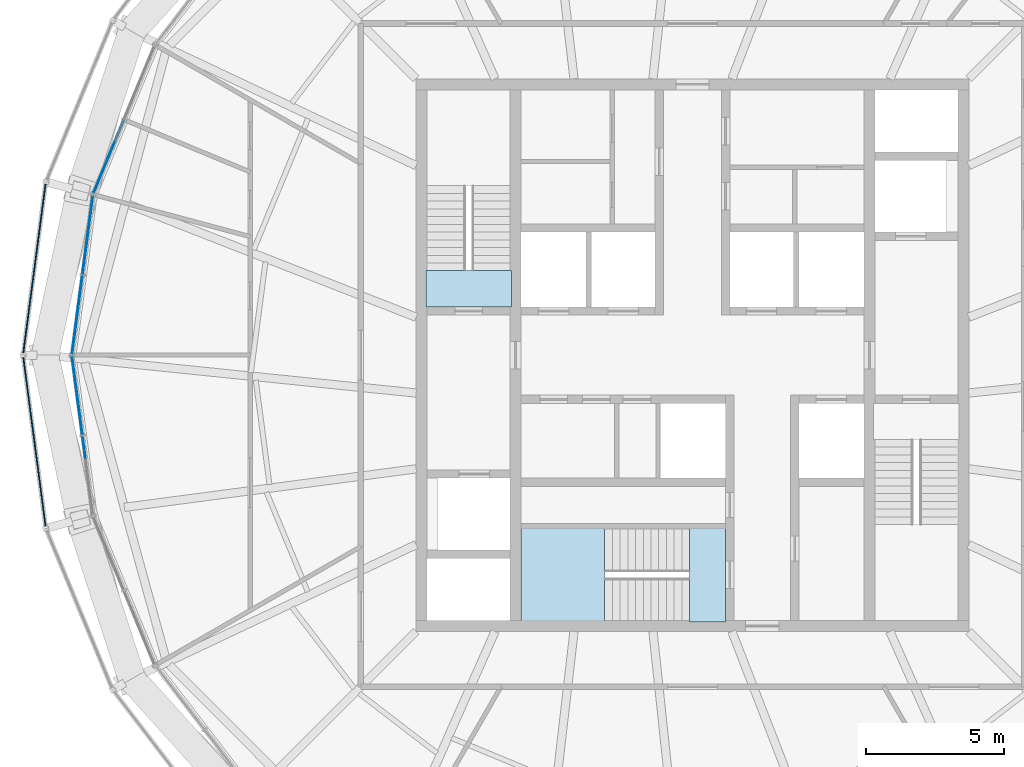
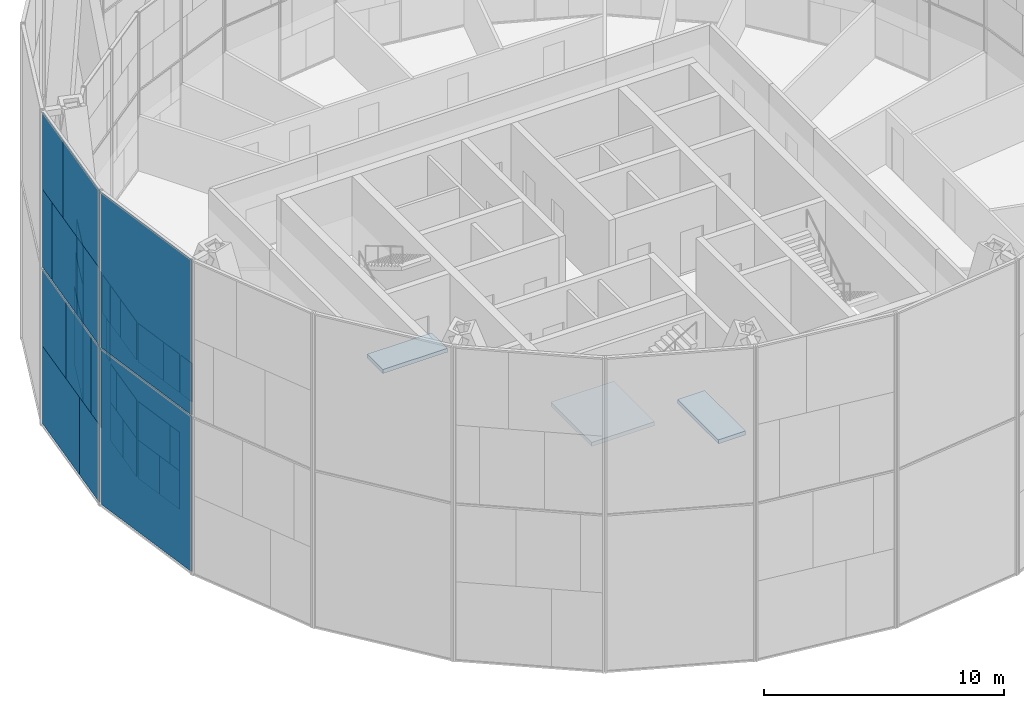
# One storey, part 11 of 22: 38 plates, 3 slabs, 6 elements without a shape of their own.
"""IFC4 building model written with IfcOpenShell, lengths in metres."""

from ifc_helpers import new_model, si_unit, direction, frame, origin, origin_2d, place, context, subcontext, project, spatial, polyline, rectangle, outline, extrude, material, layer, layer_set, type_object, element, aggregate, save


model = new_model("IFC4")

# Units and contexts
model_context = context("Model", 3, precision=1e-05, world=origin(), true_north=direction((0.0, 1.0)))
body_context = subcontext(model_context, "Body", "Model", "MODEL_VIEW")
ifc_project = project(units=[si_unit("LENGTHUNIT", "METRE"), si_unit("AREAUNIT", "SQUARE_METRE"), si_unit("VOLUMEUNIT", "CUBIC_METRE"), si_unit("PLANEANGLEUNIT", "RADIAN"), si_unit("MASSUNIT", "GRAM", prefix="KILO")], contexts=[model_context])

# Site, building, storey
site_placement = place(None, origin())
site = spatial("IfcSite", under=ifc_project, at=site_placement, CompositionType="ELEMENT")
building_placement = place(site_placement, origin())
building = spatial("IfcBuilding", under=site, at=building_placement, Name="Golbaran Civic Tower", CompositionType="ELEMENT")
storey_placement = place(building_placement, frame((0.0, 0.0, 248.0)))
storey = spatial("IfcBuildingStorey", under=building, at=storey_placement, Name="L60", CompositionType="ELEMENT", Elevation=248.0)

# Curtain wall, plates
ifc_material_1 = material(Name="Aluminium and glass", Category="aluminium")
curtain_wall_type_1 = type_object("IfcCurtainWallType", Name="INNER SKIN CURTAIN WALL EXECUTIVE", PredefinedType="NOTDEFINED", material=ifc_material_1)
curtain_wall_1_placement = place(storey_placement, origin())
curtain_wall_1 = element("IfcCurtainWall", 1, at=curtain_wall_1_placement, inside=storey, type_object=curtain_wall_type_1, Name="Inner skin L60 facet 11 CW2", ObjectType="INNER SKIN", PredefinedType="USERDEFINED")
ifc_material_2 = material(Name="Clear insulating glass", Category="glass")
ifc_layer_1 = layer(ifc_material_2, 0.031982421875, Name="Clear insulating glass")
ifc_layer_set_1 = layer_set([ifc_layer_1], Name="Clear insulating glass")
plate_type_1 = type_object("IfcPlateType", Name="INNER SKIN CURTAIN WALL EXECUTIVE GLAZED PANEL", PredefinedType="CURTAIN_PANEL", material=ifc_layer_set_1)
plate_1_placement = place(storey_placement, frame((-21.12060546875, 7.1787109375, 0.06005859375), z_axis=(0.0, 0.0, 1.0), x_axis=(-0.382683432381, -0.923879532505, 0.0)))
plate_1 = element("IfcPlate", 2, at=plate_1_placement, type_object=plate_type_1, Name="CW2 panel 2.1", PredefinedType="CURTAIN_PANEL", context=body_context, shape_type="SweptSolid", body=[
    extrude(rectangle(XDim=2.840576171875, YDim=0.031982421875, at=origin_2d()), origin(), (0.0, 0.0, 1.0), 3.909912109375),
])
plate_2_placement = place(storey_placement, frame((-21.197021484375, 6.993896484375, 4.030029296875), z_axis=(0.0, 0.0, 1.0), x_axis=(-0.382683432381, -0.923879532505, 0.0)))
plate_2 = element("IfcPlate", 3, at=plate_2_placement, type_object=plate_type_1, Name="CW2 panel 2.2 part 2", PredefinedType="CURTAIN_PANEL", context=body_context, shape_type="SweptSolid", body=[
    extrude(rectangle(XDim=2.440673828125, YDim=0.031982421875, at=origin_2d()), origin(), (0.0, 0.0, 1.0), 1.955078125),
])
plate_3_placement = place(storey_placement, frame((-21.27294921875, 6.810546875, 5.98486328125), z_axis=(0.0, 0.0, 1.0), x_axis=(-0.382683432381, -0.923879532505, 0.0)))
plate_3 = element("IfcPlate", 4, at=plate_3_placement, type_object=plate_type_1, Name="CW2 panel 2.2 part 4", PredefinedType="CURTAIN_PANEL", context=body_context, shape_type="SweptSolid", body=[
    extrude(rectangle(XDim=2.04345703125, YDim=0.031982421875, at=origin_2d()), origin(), (0.0, 0.0, 1.0), 1.955078125),
])
aggregate(curtain_wall_1, [plate_1, plate_2, plate_3])

curtain_wall_2_placement = place(storey_placement, origin())
curtain_wall_2 = element("IfcCurtainWall", 5, at=curtain_wall_2_placement, inside=storey, type_object=curtain_wall_type_1, Name="Inner skin L60 facet 12 CW2", ObjectType="INNER SKIN", PredefinedType="USERDEFINED")
plate_4_placement = place(storey_placement, frame((-21.880126953125, 4.34326171875, 0.06005859375), z_axis=(0.0, 0.0, 1.0), x_axis=(-0.130526192185, -0.991444861378, 0.0)))
plate_4 = element("IfcPlate", 6, at=plate_4_placement, type_object=plate_type_1, Name="CW2 panel 1.1", PredefinedType="CURTAIN_PANEL", context=body_context, shape_type="SweptSolid", body=[
    extrude(rectangle(XDim=2.840576171875, YDim=0.031982421875, at=origin_2d()), origin(), (0.0, 0.0, 1.0), 3.909912109375),
])
plate_5_placement = place(storey_placement, frame((-21.85400390625, 4.54248046875, 4.030029296875), z_axis=(0.0, 0.0, 1.0), x_axis=(-0.130526192185, -0.991444861378, 0.0)))
plate_5 = element("IfcPlate", 7, at=plate_5_placement, type_object=plate_type_1, Name="CW2 panel 1.2 part 1", PredefinedType="CURTAIN_PANEL", context=body_context, shape_type="SweptSolid", body=[
    extrude(rectangle(XDim=2.43896484375, YDim=0.031982421875, at=origin_2d()), origin(), (0.0, 0.0, 1.0), 1.955078125),
])
plate_6_placement = place(storey_placement, frame((-21.828125, 4.73876953125, 5.98486328125), z_axis=(0.0, 0.0, 1.0), x_axis=(-0.130526192185, -0.991444861378, 0.0)))
plate_6 = element("IfcPlate", 8, at=plate_6_placement, type_object=plate_type_1, Name="CW2 panel 1.2 part 3", PredefinedType="CURTAIN_PANEL", context=body_context, shape_type="SweptSolid", body=[
    extrude(rectangle(XDim=2.04296875, YDim=0.031982421875, at=origin_2d()), origin(), (0.0, 0.0, 1.0), 1.955078125),
])
plate_7_placement = place(storey_placement, frame((-22.16357421875, 2.190185546875, 0.06005859375), z_axis=(0.0, 0.0, 1.0), x_axis=(-0.130526192185, -0.991444861378, 0.0)))
plate_7 = element("IfcPlate", 9, at=plate_7_placement, type_object=plate_type_1, Name="CW2 panel 2.1 part 1", PredefinedType="CURTAIN_PANEL", context=body_context, shape_type="SweptSolid", body=[
    extrude(rectangle(XDim=1.383056640625, YDim=0.031982421875, at=origin_2d()), origin(), (0.0, 0.0, 1.0), 1.955078125),
])
plate_8_placement = place(storey_placement, frame((-22.115478515625, 2.556396484375, 2.014892578125), z_axis=(0.0, 0.0, 1.0), x_axis=(-0.130526192185, -0.991444861378, 0.0)))
plate_8 = element("IfcPlate", 10, at=plate_8_placement, type_object=plate_type_1, Name="CW2 panel 2.1 part 3", PredefinedType="CURTAIN_PANEL", context=body_context, shape_type="SweptSolid", body=[
    extrude(rectangle(XDim=0.64404296875, YDim=0.031982421875, at=origin_2d()), origin(), (0.0, 0.0, 1.0), 1.955078125),
])
plate_9_placement = place(storey_placement, frame((-22.37939453125, 0.551513671875, 4.030029296875), z_axis=(0.0, 0.0, 1.0), x_axis=(-0.130526192185, -0.991444861378, 0.0)))
plate_9 = element("IfcPlate", 11, at=plate_9_placement, type_object=plate_type_1, Name="CW2 panel 2.2 part 2", PredefinedType="CURTAIN_PANEL", context=body_context, shape_type="SweptSolid", body=[
    extrude(rectangle(XDim=0.99267578125, YDim=0.031982421875, at=origin_2d()), origin(), (0.0, 0.0, 1.0), 1.955078125),
])
plate_10_placement = place(storey_placement, frame((-22.3310546875, 0.91845703125, 5.98486328125), z_axis=(0.0, 0.0, 1.0), x_axis=(-0.130526192185, -0.991444861378, 0.0)))
plate_10 = element("IfcPlate", 12, at=plate_10_placement, type_object=plate_type_1, Name="CW2 panel 2.2 part 4", PredefinedType="CURTAIN_PANEL", context=body_context, shape_type="SweptSolid", body=[
    extrude(rectangle(XDim=1.732666015625, YDim=0.031982421875, at=origin_2d()), origin(), (0.0, 0.0, 1.0), 1.955078125),
])

curtain_wall_3_placement = place(storey_placement, origin())
curtain_wall_3 = element("IfcCurtainWall", 13, at=curtain_wall_3_placement, inside=storey, type_object=curtain_wall_type_1, Name="Inner skin L60 facet 13 CW2", ObjectType="INNER SKIN", PredefinedType="USERDEFINED")
plate_11_placement = place(storey_placement, frame((-22.16357421875, -2.18994140625, 0.06005859375), z_axis=(0.0, 0.0, 1.0), x_axis=(0.130526192185, -0.991444861378, 0.0)))
plate_11 = element("IfcPlate", 14, at=plate_11_placement, type_object=plate_type_1, Name="CW2 panel 1.1 part 2", PredefinedType="CURTAIN_PANEL", context=body_context, shape_type="SweptSolid", body=[
    extrude(rectangle(XDim=1.383544921875, YDim=0.031982421875, at=origin_2d()), origin(), (0.0, 0.0, 1.0), 1.955078125),
])
plate_12_placement = place(storey_placement, frame((-22.115478515625, -2.55615234375, 2.014892578125), z_axis=(0.0, 0.0, 1.0), x_axis=(0.130526192185, -0.991444861378, 0.0)))
plate_12 = element("IfcPlate", 15, at=plate_12_placement, type_object=plate_type_1, Name="CW2 panel 1.1 part 4", PredefinedType="CURTAIN_PANEL", context=body_context, shape_type="SweptSolid", body=[
    extrude(rectangle(XDim=0.64453125, YDim=0.031982421875, at=origin_2d()), origin(), (0.0, 0.0, 1.0), 1.955078125),
])
plate_13_placement = place(storey_placement, frame((-22.37939453125, -0.5517578125, 4.030029296875), z_axis=(0.0, 0.0, 1.0), x_axis=(0.130526192185, -0.991444861378, 0.0)))
plate_13 = element("IfcPlate", 16, at=plate_13_placement, type_object=plate_type_1, Name="CW2 panel 1.2 part 1", PredefinedType="CURTAIN_PANEL", context=body_context, shape_type="SweptSolid", body=[
    extrude(rectangle(XDim=0.992919921875, YDim=0.031982421875, at=origin_2d()), origin(), (0.0, 0.0, 1.0), 1.955078125),
])
plate_14_placement = place(storey_placement, frame((-22.3310546875, -0.91796875, 5.98486328125), z_axis=(0.0, 0.0, 1.0), x_axis=(0.130526192185, -0.991444861378, 0.0)))
plate_14 = element("IfcPlate", 17, at=plate_14_placement, type_object=plate_type_1, Name="CW2 panel 1.2 part 3", PredefinedType="CURTAIN_PANEL", context=body_context, shape_type="SweptSolid", body=[
    extrude(rectangle(XDim=1.73193359375, YDim=0.031982421875, at=origin_2d()), origin(), (0.0, 0.0, 1.0), 1.955078125),
])

# Plate
ifc_material_3 = material(Name="Aluminium faced opaque infill panel", Category="aluminium")
ifc_layer_2 = layer(ifc_material_3, 0.031982421875, Name="Aluminium faced opaque infill panel")
ifc_layer_set_2 = layer_set([ifc_layer_2], Name="Aluminium faced opaque infill panel")
plate_type_2 = type_object("IfcPlateType", Name="INNER SKIN CURTAIN WALL EXECUTIVE OPAQUE INFILL PANEL", PredefinedType="CURTAIN_PANEL", material=ifc_layer_set_2)
plate_15_placement = place(storey_placement, frame((-22.039306640625, 3.13427734375, 4.030029296875), z_axis=(0.0, 0.0, 1.0), x_axis=(-0.130526192185, -0.991444861378, 0.0)))
plate_15 = element("IfcPlate", 18, at=plate_15_placement, type_object=plate_type_2, Name="CW2 infill panel 1.2 part 2", PredefinedType="CURTAIN_PANEL", context=body_context, shape_type="SweptSolid", body=[
    extrude(rectangle(XDim=0.401611328125, YDim=0.031982421875, at=origin_2d()), origin(), (0.0, 0.0, 1.0), 1.955078125),
])

plate_16_placement = place(storey_placement, frame((-22.013427734375, 3.33056640625, 5.98486328125), z_axis=(0.0, 0.0, 1.0), x_axis=(-0.130526192185, -0.991444861378, 0.0)))
plate_16 = element("IfcPlate", 19, at=plate_16_placement, type_object=plate_type_2, Name="CW2 infill panel 1.2 part 4", PredefinedType="CURTAIN_PANEL", context=body_context, shape_type="SweptSolid", body=[
    extrude(rectangle(XDim=0.797607421875, YDim=0.031982421875, at=origin_2d()), origin(), (0.0, 0.0, 1.0), 1.955078125),
])

plate_17_placement = place(storey_placement, frame((-22.34912109375, 0.781982421875, 0.06005859375), z_axis=(0.0, 0.0, 1.0), x_axis=(-0.130526192185, -0.991444861378, 0.0)))
plate_17 = element("IfcPlate", 20, at=plate_17_placement, type_object=plate_type_2, Name="CW2 infill panel 2.1 part 2", PredefinedType="CURTAIN_PANEL", context=body_context, shape_type="SweptSolid", body=[
    extrude(rectangle(XDim=1.45751953125, YDim=0.031982421875, at=origin_2d()), origin(), (0.0, 0.0, 1.0), 1.955078125),
])

plate_18_placement = place(storey_placement, frame((-22.30078125, 1.1484375, 2.014892578125), z_axis=(0.0, 0.0, 1.0), x_axis=(-0.130526192185, -0.991444861378, 0.0)))
plate_18 = element("IfcPlate", 21, at=plate_18_placement, type_object=plate_type_2, Name="CW2 infill panel 2.1 part 4", PredefinedType="CURTAIN_PANEL", context=body_context, shape_type="SweptSolid", body=[
    extrude(rectangle(XDim=2.196533203125, YDim=0.031982421875, at=origin_2d()), origin(), (0.0, 0.0, 1.0), 1.955078125),
])

plate_19_placement = place(storey_placement, frame((-22.194091796875, 1.959716796875, 4.030029296875), z_axis=(0.0, 0.0, 1.0), x_axis=(-0.130526192185, -0.991444861378, 0.0)))
plate_19 = element("IfcPlate", 22, at=plate_19_placement, type_object=plate_type_2, Name="CW2 infill panel 2.2 part 1", PredefinedType="CURTAIN_PANEL", context=body_context, shape_type="SweptSolid", body=[
    extrude(rectangle(XDim=1.847900390625, YDim=0.031982421875, at=origin_2d()), origin(), (0.0, 0.0, 1.0), 1.955078125),
])

plate_20_placement = place(storey_placement, frame((-22.145751953125, 2.326416015625, 5.98486328125), z_axis=(0.0, 0.0, 1.0), x_axis=(-0.130526192185, -0.991444861378, 0.0)))
plate_20 = element("IfcPlate", 23, at=plate_20_placement, type_object=plate_type_2, Name="CW2 infill panel 2.2 part 3", PredefinedType="CURTAIN_PANEL", context=body_context, shape_type="SweptSolid", body=[
    extrude(rectangle(XDim=1.10791015625, YDim=0.031982421875, at=origin_2d()), origin(), (0.0, 0.0, 1.0), 1.955078125),
])

aggregate(curtain_wall_2, [plate_4, plate_5, plate_15, plate_6, plate_16, plate_7, plate_17, plate_8, plate_18, plate_19, plate_9, plate_20, plate_10])

plate_21_placement = place(storey_placement, frame((-22.34912109375, -0.78173828125, 0.06005859375), z_axis=(0.0, 0.0, 1.0), x_axis=(0.130526192185, -0.991444861378, 0.0)))
plate_21 = element("IfcPlate", 24, at=plate_21_placement, type_object=plate_type_2, Name="CW2 infill panel 1.1 part 1", PredefinedType="CURTAIN_PANEL", context=body_context, shape_type="SweptSolid", body=[
    extrude(rectangle(XDim=1.45703125, YDim=0.031982421875, at=origin_2d()), origin(), (0.0, 0.0, 1.0), 1.955078125),
])

plate_22_placement = place(storey_placement, frame((-22.30078125, -1.148193359375, 2.014892578125), z_axis=(0.0, 0.0, 1.0), x_axis=(0.130526192185, -0.991444861378, 0.0)))
plate_22 = element("IfcPlate", 25, at=plate_22_placement, type_object=plate_type_2, Name="CW2 infill panel 1.1 part 3", PredefinedType="CURTAIN_PANEL", context=body_context, shape_type="SweptSolid", body=[
    extrude(rectangle(XDim=2.196044921875, YDim=0.031982421875, at=origin_2d()), origin(), (0.0, 0.0, 1.0), 1.955078125),
])

plate_23_placement = place(storey_placement, frame((-22.194091796875, -1.9599609375, 4.030029296875), z_axis=(0.0, 0.0, 1.0), x_axis=(0.130526192185, -0.991444861378, 0.0)))
plate_23 = element("IfcPlate", 26, at=plate_23_placement, type_object=plate_type_2, Name="CW2 infill panel 1.2 part 2", PredefinedType="CURTAIN_PANEL", context=body_context, shape_type="SweptSolid", body=[
    extrude(rectangle(XDim=1.84765625, YDim=0.031982421875, at=origin_2d()), origin(), (0.0, 0.0, 1.0), 1.955078125),
])

plate_24_placement = place(storey_placement, frame((-22.145751953125, -2.326171875, 5.98486328125), z_axis=(0.0, 0.0, 1.0), x_axis=(0.130526192185, -0.991444861378, 0.0)))
plate_24 = element("IfcPlate", 27, at=plate_24_placement, type_object=plate_type_2, Name="CW2 infill panel 1.2 part 4", PredefinedType="CURTAIN_PANEL", context=body_context, shape_type="SweptSolid", body=[
    extrude(rectangle(XDim=1.108642578125, YDim=0.031982421875, at=origin_2d()), origin(), (0.0, 0.0, 1.0), 1.955078125),
])

plate_25_placement = place(storey_placement, frame((-22.03955078125, -3.133544921875, 4.030029296875), z_axis=(0.0, 0.0, 1.0), x_axis=(0.130526192185, -0.991444861378, 0.0)))
plate_25 = element("IfcPlate", 28, at=plate_25_placement, type_object=plate_type_2, Name="CW2 infill panel 2.2 part 1", PredefinedType="CURTAIN_PANEL", context=body_context, shape_type="SweptSolid", body=[
    extrude(rectangle(XDim=0.39990234375, YDim=0.031982421875, at=origin_2d()), origin(), (0.0, 0.0, 1.0), 1.955078125),
])

plate_26_placement = place(storey_placement, frame((-22.013671875, -3.330322265625, 5.98486328125), z_axis=(0.0, 0.0, 1.0), x_axis=(0.130526192185, -0.991444861378, 0.0)))
plate_26 = element("IfcPlate", 29, at=plate_26_placement, type_object=plate_type_2, Name="CW2 infill panel 2.2 part 3", PredefinedType="CURTAIN_PANEL", context=body_context, shape_type="SweptSolid", body=[
    extrude(rectangle(XDim=0.797119140625, YDim=0.031982421875, at=origin_2d()), origin(), (0.0, 0.0, 1.0), 1.955078125),
])

aggregate(curtain_wall_3, [plate_21, plate_11, plate_22, plate_12, plate_13, plate_23, plate_14, plate_24, plate_25, plate_26])

# Curtain wall, plates
curtain_wall_type_2 = type_object("IfcCurtainWallType", Name="OUTER SKIN TERRACOTTA SCREEN", PredefinedType="NOTDEFINED", material=ifc_material_1)
curtain_wall_4_placement = place(storey_placement, origin())
curtain_wall_4 = element("IfcCurtainWall", 30, at=curtain_wall_4_placement, inside=storey, type_object=curtain_wall_type_2, Name="Outer skin L60 facet 12 CW3", ObjectType="OUTER SKIN", PredefinedType="USERDEFINED")
ifc_material_4 = material(Name="Clear laminated glass", Category="glass")
ifc_layer_3 = layer(ifc_material_4, 0.0400390625, Name="Clear laminated glass")
ifc_layer_set_3 = layer_set([ifc_layer_3], Name="Clear laminated glass")
plate_type_3 = type_object("IfcPlateType", Name="OUTER SKIN CLEAR GLASS PANEL", PredefinedType="CURTAIN_PANEL", material=ifc_layer_set_3)
plate_27_placement = place(storey_placement, frame((-23.66943359375, 4.20458984375, -0.6298828125), z_axis=(0.0, 0.0, 1.0), x_axis=(-0.130526192237, -0.991444861372, 0.0)))
plate_27 = element("IfcPlate", 31, at=plate_27_placement, type_object=plate_type_3, Name="CW3 panel 1.1 part 1", PredefinedType="CURTAIN_PANEL", context=body_context, shape_type="SweptSolid", body=[
    extrude(rectangle(XDim=4.0048828125, YDim=0.0400390625, at=origin_2d()), origin(), (0.0, 0.0, 1.0), 3.93994140625),
])
plate_28_placement = place(storey_placement, frame((-23.572265625, 4.943359375, 3.31005859375), z_axis=(0.0, 0.0, 1.0), x_axis=(-0.130526192237, -0.991444861372, 0.0)))
plate_28 = element("IfcPlate", 32, at=plate_28_placement, type_object=plate_type_3, Name="CW3 panel 1.1 part 3", PredefinedType="CURTAIN_PANEL", context=body_context, shape_type="SweptSolid", body=[
    extrude(rectangle(XDim=2.514892578125, YDim=0.0400390625, at=origin_2d()), origin(), (0.0, 0.0, 1.0), 3.93994140625),
])
plate_29_placement = place(storey_placement, frame((-24.15185546875, 0.541015625, 3.31005859375), z_axis=(0.0, 0.0, 1.0), x_axis=(-0.130526192237, -0.991444861372, 0.0)))
plate_29 = element("IfcPlate", 33, at=plate_29_placement, type_object=plate_type_3, Name="CW3 panel 1.1 part 5", PredefinedType="CURTAIN_PANEL", context=body_context, shape_type="SweptSolid", body=[
    extrude(rectangle(XDim=0.931396484375, YDim=0.0400390625, at=origin_2d()), origin(), (0.0, 0.0, 1.0), 3.93994140625),
])
plate_30_placement = place(storey_placement, frame((-23.472900390625, 5.69677734375, 7.330078125), z_axis=(0.0, 0.0, 1.0), x_axis=(-0.130526192237, -0.991444861372, 0.0)))
plate_30 = element("IfcPlate", 34, at=plate_30_placement, type_object=plate_type_3, Name="CW3 panel 1.2 part 1", PredefinedType="CURTAIN_PANEL", context=body_context, shape_type="SweptSolid", body=[
    extrude(rectangle(XDim=0.9951171875, YDim=0.0400390625, at=origin_2d()), origin(), (0.0, 0.0, 1.0), 3.93994140625),
])
plate_31_placement = place(storey_placement, frame((-24.052490234375, 1.295166015625, 7.330078125), z_axis=(0.0, 0.0, 1.0), x_axis=(-0.130526192237, -0.991444861372, 0.0)))
plate_31 = element("IfcPlate", 35, at=plate_31_placement, type_object=plate_type_3, Name="CW3 panel 1.2 part 3", PredefinedType="CURTAIN_PANEL", context=body_context, shape_type="SweptSolid", body=[
    extrude(rectangle(XDim=2.452392578125, YDim=0.0400390625, at=origin_2d()), origin(), (0.0, 0.0, 1.0), 3.93994140625),
])
plate_32_placement = place(storey_placement, frame((-23.954833984375, 2.03759765625, 11.27001953125), z_axis=(0.0, 0.0, 1.0), x_axis=(-0.130526192237, -0.991444861372, 0.0)))
plate_32 = element("IfcPlate", 36, at=plate_32_placement, type_object=plate_type_3, Name="CW3 panel 1.2 part 5", PredefinedType="CURTAIN_PANEL", context=body_context, shape_type="SweptSolid", body=[
    extrude(rectangle(XDim=3.950439453125, YDim=0.0400390625, at=origin_2d()), origin(), (0.0, 0.0, 1.0), 3.93994140625),
])
ifc_material_5 = material(Name="Terracotta baguette screen", Category="masonry")
ifc_layer_4 = layer(ifc_material_5, 0.0400390625, Name="Terracotta baguette screen")
ifc_layer_set_4 = layer_set([ifc_layer_4], Name="Terracotta baguette screen")
plate_type_4 = type_object("IfcPlateType", Name="OUTER SKIN TERRACOTTA INFILL PANEL", PredefinedType="CURTAIN_PANEL", material=ifc_layer_set_4)
plate_33_placement = place(storey_placement, frame((-24.07177734375, 1.1494140625, -0.6298828125), z_axis=(0.0, 0.0, 1.0), x_axis=(-0.130526192237, -0.991444861372, 0.0)))
plate_33 = element("IfcPlate", 37, at=plate_33_placement, type_object=plate_type_4, Name="CW3 infill panel 1.1 part 2", PredefinedType="CURTAIN_PANEL", context=body_context, shape_type="SweptSolid", body=[
    extrude(rectangle(XDim=2.158447265625, YDim=0.0400390625, at=origin_2d()), origin(), (0.0, 0.0, 1.0), 3.93994140625),
])
plate_34_placement = place(storey_placement, frame((-23.91357421875, 2.349609375, 3.31005859375), z_axis=(0.0, 0.0, 1.0), x_axis=(-0.130526192237, -0.991444861372, 0.0)))
plate_34 = element("IfcPlate", 38, at=plate_34_placement, type_object=plate_type_4, Name="CW3 infill panel 1.1 part 4", PredefinedType="CURTAIN_PANEL", context=body_context, shape_type="SweptSolid", body=[
    extrude(rectangle(XDim=2.717041015625, YDim=0.0400390625, at=origin_2d()), origin(), (0.0, 0.0, 1.0), 3.93994140625),
])
plate_35_placement = place(storey_placement, frame((-23.715087890625, 3.857177734375, 7.330078125), z_axis=(0.0, 0.0, 1.0), x_axis=(-0.130526192237, -0.991444861372, 0.0)))
plate_35 = element("IfcPlate", 39, at=plate_35_placement, type_object=plate_type_4, Name="CW3 infill panel 1.2 part 2", PredefinedType="CURTAIN_PANEL", context=body_context, shape_type="SweptSolid", body=[
    extrude(rectangle(XDim=2.716064453125, YDim=0.0400390625, at=origin_2d()), origin(), (0.0, 0.0, 1.0), 3.93994140625),
])
plate_36_placement = place(storey_placement, frame((-23.552490234375, 5.093017578125, 11.27001953125), z_axis=(0.0, 0.0, 1.0), x_axis=(-0.130526192237, -0.991444861372, 0.0)))
plate_36 = element("IfcPlate", 40, at=plate_36_placement, type_object=plate_type_4, Name="CW3 infill panel 1.2 part 4", PredefinedType="CURTAIN_PANEL", context=body_context, shape_type="SweptSolid", body=[
    extrude(rectangle(XDim=2.212890625, YDim=0.0400390625, at=origin_2d()), origin(), (0.0, 0.0, 1.0), 3.93994140625),
])
aggregate(curtain_wall_4, [plate_27, plate_33, plate_28, plate_34, plate_29, plate_30, plate_35, plate_31, plate_36, plate_32])

curtain_wall_5_placement = place(storey_placement, origin())
curtain_wall_5 = element("IfcCurtainWall", 41, at=curtain_wall_5_placement, inside=storey, type_object=curtain_wall_type_2, Name="Outer skin L60 facet 13 CW3", ObjectType="OUTER SKIN", PredefinedType="USERDEFINED")
ifc_layer_5 = layer(ifc_material_5, 0.0400390625, Name="Terracotta baguette screen")
ifc_layer_set_5 = layer_set([ifc_layer_5], Name="Terracotta baguette screen")
plate_type_5 = type_object("IfcPlateType", Name="OUTER SKIN TERRACOTTA SCREEN PANEL", PredefinedType="CURTAIN_PANEL", material=ifc_layer_set_5)
plate_37_placement = place(storey_placement, frame((-23.810302734375, -3.134765625, -0.6298828125), z_axis=(0.0, 0.0, 1.0), x_axis=(0.130526192237, -0.991444861372, 0.0)))
plate_37 = element("IfcPlate", 42, at=plate_37_placement, type_object=plate_type_5, Name="CW3 terracotta screen panel 1.1", PredefinedType="CURTAIN_PANEL", context=body_context, shape_type="SweptSolid", body=[
    extrude(rectangle(XDim=6.16357421875, YDim=0.0400390625, at=origin_2d()), origin(), (0.0, 0.0, 1.0), 7.8798828125),
])
plate_38_placement = place(storey_placement, frame((-23.810302734375, -3.134765625, 7.330078125), z_axis=(0.0, 0.0, 1.0), x_axis=(0.130526192237, -0.991444861372, 0.0)))
plate_38 = element("IfcPlate", 43, at=plate_38_placement, type_object=plate_type_5, Name="CW3 terracotta screen panel 1.2", PredefinedType="CURTAIN_PANEL", context=body_context, shape_type="SweptSolid", body=[
    extrude(rectangle(XDim=6.16357421875, YDim=0.0400390625, at=origin_2d()), origin(), (0.0, 0.0, 1.0), 7.8798828125),
])
aggregate(curtain_wall_5, [plate_37, plate_38])

# Slab
ifc_material_6 = material(Name="Concrete C35/45", Category="concrete")
ifc_layer_6 = layer(ifc_material_6, 0.199951171875, Name="Concrete C35/45")
ifc_layer_set_6 = layer_set([ifc_layer_6], Name="Concrete C35/45")
slab_type = type_object("IfcSlabType", Name="STAIR LANDING 200", PredefinedType="LANDING", material=ifc_layer_set_6)
slab_1_placement = place(storey_placement, frame((0.0, 0.0, -0.199951171875)))
element("IfcSlab", 44, at=slab_1_placement, inside=storey, type_object=slab_type, Name="Stair S1 floor landing L60", PredefinedType="LANDING", context=body_context, shape_type="SweptSolid", body=[
    extrude(outline(polyline([(-9.64990234375, 1.75), (-9.64990234375, 3.054931640625), (-6.550048828125, 3.054931640625), (-6.550048828125, 1.75), (-9.64990234375, 1.75)])), origin(), (0.0, 0.0, 1.0), 0.199951171875),
])

# Stair, slab
stair_type = type_object("IfcStairType", Name="EXIT STAIR 3300 x 7400, 4000 RISE", PredefinedType="HALF_TURN_STAIR", material=ifc_material_6)
stair_placement = place(storey_placement, origin())
stair = element("IfcStair", 45, at=stair_placement, inside=storey, type_object=stair_type, Name="Stair S3 L60", PredefinedType="HALF_TURN_STAIR")
slab_2_placement = place(storey_placement, frame((0.0, 0.0, 1.800048828125)))
slab_2 = element("IfcSlab", 46, at=slab_2_placement, type_object=slab_type, Name="ST33074-40 landing 1", PredefinedType="LANDING", context=body_context, shape_type="SweptSolid", body=[
    extrude(outline(polyline([(-3.175048828125, -9.64990234375), (-6.199951171875, -9.64990234375), (-6.199951171875, -6.25), (-3.175048828125, -6.25), (-3.175048828125, -9.64990234375)])), origin(), (0.0, 0.0, 1.0), 0.199951171875),
])
aggregate(stair, [slab_2])

# Slab
slab_3_placement = place(storey_placement, frame((0.0, 0.0, -0.199951171875)))
element("IfcSlab", 47, at=slab_3_placement, inside=storey, type_object=slab_type, Name="Stair S3 floor landing L60", PredefinedType="LANDING", context=body_context, shape_type="SweptSolid", body=[
    extrude(outline(polyline([(1.199951171875, -9.64990234375), (-0.10498046875, -9.64990234375), (-0.10498046875, -6.25), (1.199951171875, -6.25), (1.199951171875, -9.64990234375)])), origin(), (0.0, 0.0, 1.0), 0.199951171875),
])

save(model, "model.ifc")
